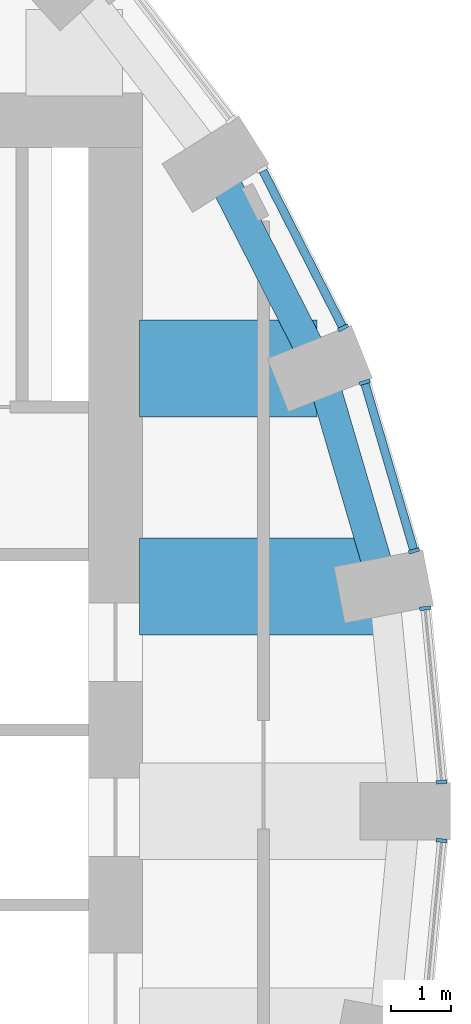
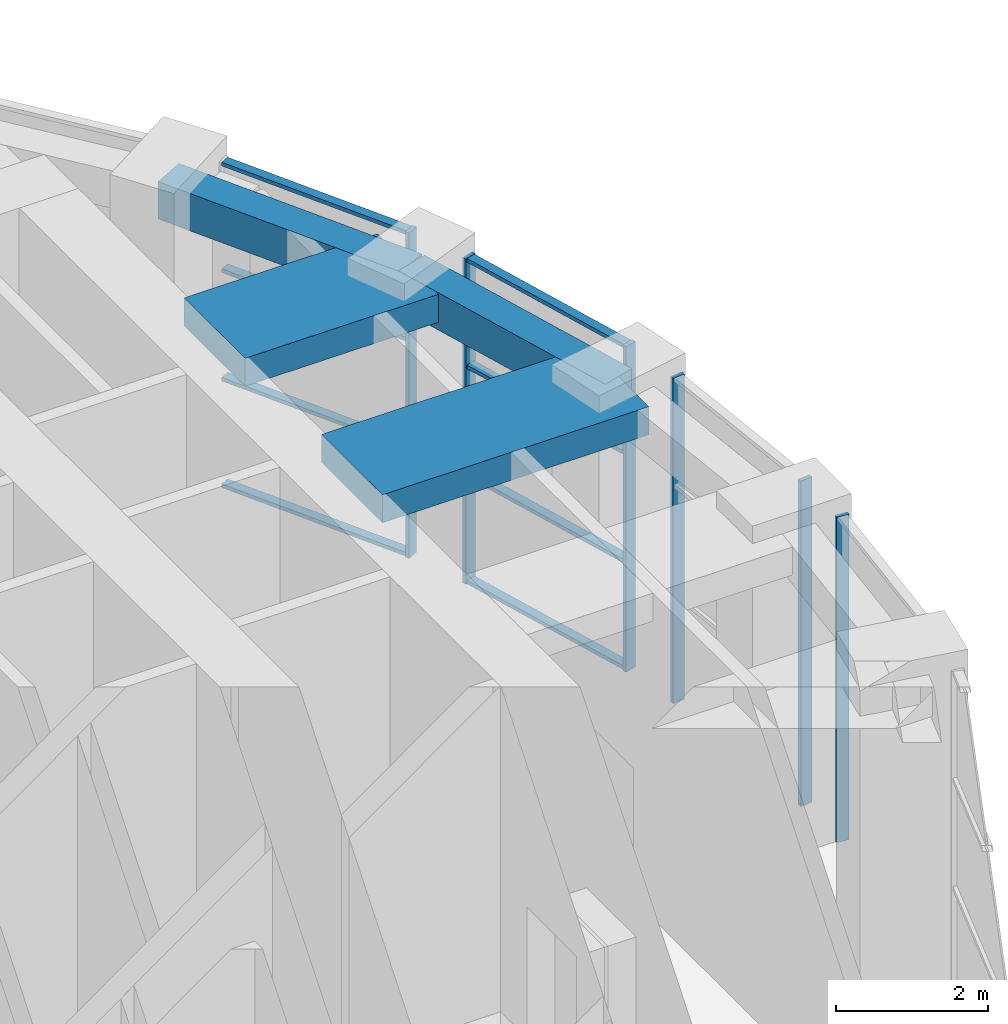
# One storey, part 6 of 17: 14 members, 4 beams, 4 elements without a shape of their own.
"""IFC4 building model written with IfcOpenShell, lengths in metres."""

import ifcopenshell
import ifcopenshell.guid

model = None  # the IFC model being written
_history = None  # IfcOwnerHistory: only IFC2X3 demands one
_inside = {}  # id of a spatial element -> (the spatial element, [elements in it])
_under = {}  # id of a project, library or spatial element -> (it, [spatial elements below it])
_declared = {}  # id of a project -> (the project, [libraries it declares])
_typed = {}  # id of a type object -> (the type object, [elements of that type])
_made_of = {}  # id of a material, layer set ... -> (it, [elements and type objects made of it])


def new_model(schema):
    """Start an empty IFC model of exactly this schema.

    Asked for "IFC4X3", IfcOpenShell would pick the latest addendum, in which some entities
    have other attributes; the version numbers below select the first issue.
    IFC2X3 requires an IfcOwnerHistory on every rooted entity: one is made here for all.
    """
    global model, _history
    if schema == "IFC4X3":
        model = ifcopenshell.file(schema_version=(4, 3, 0, 0))
    else:
        model = ifcopenshell.file(schema=schema)
    _inside.clear()
    _under.clear()
    _declared.clear()
    _typed.clear()
    _made_of.clear()
    _history = None
    if model.schema == "IFC2X3":
        org = make("IfcOrganization", Name="unknown")
        user = make(
            "IfcPersonAndOrganization",
            ThePerson=make("IfcPerson", FamilyName="unknown"),
            TheOrganization=org,
        )
        app = make(
            "IfcApplication",
            ApplicationDeveloper=org,
            Version="unknown",
            ApplicationFullName="unknown",
            ApplicationIdentifier="unknown",
        )
        _history = make(
            "IfcOwnerHistory",
            OwningUser=user,
            OwningApplication=app,
            ChangeAction="ADDED",
            CreationDate=0,
        )
    return model


def make(cls, **values):
    """One entity of the class cls with the attributes given. An attribute that is None is left unset."""
    return model.create_entity(
        cls, **{name: value for name, value in values.items() if value is not None}
    )


def rooted(cls, **values):
    """An entity with a GlobalId (a new one), such as an element, a storey or a relation."""
    return make(cls, GlobalId=ifcopenshell.guid.new(), OwnerHistory=_history, **values)


def si_unit(unit_type, name, prefix=None):
    """IfcSIUnit, for example si_unit("LENGTHUNIT", "METRE", prefix="MILLI")."""
    return make("IfcSIUnit", UnitType=unit_type, Prefix=prefix, Name=name)


def assignment(units):
    """IfcUnitAssignment: the units of a project."""
    return None if units is None else make("IfcUnitAssignment", Units=units)


def point(xyz):
    """IfcCartesianPoint."""
    return None if xyz is None else make("IfcCartesianPoint", Coordinates=xyz)


def direction(xyz):
    """IfcDirection."""
    return None if xyz is None else make("IfcDirection", DirectionRatios=xyz)


def frame(location, z_axis=None, x_axis=None):
    """IfcAxis2Placement3D, a coordinate frame: its origin and axes. An axis left out is left unset."""
    return make(
        "IfcAxis2Placement3D",
        Location=point(location),
        Axis=direction(z_axis),
        RefDirection=direction(x_axis),
    )


def frame_2d(location, x_axis=None):
    """IfcAxis2Placement2D, a coordinate frame in the plane: its origin and x axis."""
    return make(
        "IfcAxis2Placement2D", Location=point(location), RefDirection=direction(x_axis)
    )


def origin():
    """The frame at (0, 0, 0) with its axes left unset."""
    return frame((0.0, 0.0, 0.0))


def origin_2d():
    """The frame at (0, 0) in the plane with its x axis left unset."""
    return frame_2d((0.0, 0.0))


def place(relative_to, where):
    """IfcLocalPlacement: puts the frame where relative to a parent placement (None: the world)."""
    return make(
        "IfcLocalPlacement", PlacementRelTo=relative_to, RelativePlacement=where
    )


def context(
    kind, dimensions, precision=None, world=None, true_north=None, identifier=None
):
    """IfcGeometricRepresentationContext, for example the 3D "Model" context."""
    return make(
        "IfcGeometricRepresentationContext",
        ContextIdentifier=identifier,
        ContextType=kind,
        CoordinateSpaceDimension=dimensions,
        Precision=precision,
        WorldCoordinateSystem=world,
        TrueNorth=true_north,
    )


def subcontext(parent, identifier, kind, view, scale=None):
    """IfcGeometricRepresentationSubContext, for example "Body" below "Model"."""
    return make(
        "IfcGeometricRepresentationSubContext",
        ContextIdentifier=identifier,
        ContextType=kind,
        ParentContext=parent,
        TargetScale=scale,
        TargetView=view,
    )


def project(units=None, contexts=None):
    """IfcProject with its units and contexts."""
    return rooted(
        "IfcProject",
        Name="project",
        RepresentationContexts=contexts,
        UnitsInContext=assignment(units),
    )


def spatial(cls, under=None, at=None, **own):
    """A site, building, storey or space (cls), placed at a placement, below another one or the project."""
    s = rooted(cls, ObjectPlacement=at, **own)
    if under is not None:
        _under.setdefault(under.id(), (under, []))[1].append(s)
    return s


def profile(cls, at=None, kind="AREA", **sizes):
    """A parametric profile (cls). Its sizes go by their IFC names, for example OverallWidth=200.0."""
    return make(cls, ProfileType=kind, Position=at, **sizes)


def rectangle(**sizes):
    """IfcRectangleProfileDef."""
    return profile("IfcRectangleProfileDef", **sizes)


def extrude(swept, where, along, depth):
    """IfcExtrudedAreaSolid: the profile swept, set in the frame where, extruded along a direction by depth."""
    return make(
        "IfcExtrudedAreaSolid",
        SweptArea=swept,
        Position=where,
        ExtrudedDirection=direction(along),
        Depth=depth,
    )


def shape(context_of_items, identifier, shape_type, items):
    """IfcShapeRepresentation: the items that make up one representation, for example the "Body"."""
    return make(
        "IfcShapeRepresentation",
        ContextOfItems=context_of_items,
        RepresentationIdentifier=identifier,
        RepresentationType=shape_type,
        Items=items,
    )


def material(Name=None, Category=None):
    """IfcMaterial."""
    return make("IfcMaterial", Name=Name, Category=Category)


def material_profile(
    of_material, cross_section, Name=None, Category=None, Priority=None
):
    """IfcMaterialProfile: a cross section and its material."""
    return make(
        "IfcMaterialProfile",
        Name=Name,
        Material=of_material,
        Profile=cross_section,
        Priority=Priority,
        Category=Category,
    )


def profile_set(profiles, Name=None, composite=None):
    """IfcMaterialProfileSet."""
    return make(
        "IfcMaterialProfileSet",
        Name=Name,
        MaterialProfiles=profiles,
        CompositeProfile=composite,
    )


def made_of(thing, what):
    """Note that an element or type object is made of a material, layer set ...; save() writes the relation."""
    if what is not None:
        _made_of.setdefault(what.id(), (what, []))[1].append(thing)
    return thing


def type_object(cls, material=None, **own):
    """A type object (cls), such as IfcWallType, which elements share."""
    return made_of(rooted(cls, **own), material)


def element(
    cls,
    number,
    at=None,
    inside=None,
    cuts=None,
    type_object=None,
    material=None,
    context=None,
    identifier="Body",
    shape_type=None,
    held_by="IfcProductDefinitionShape",
    body=None,
    shapes=None,
    **own,
):
    """One element of the class cls, such as IfcWall. Its Tag is "e" and its number.

    at: its placement. inside: the storey or other place that contains it. cuts: it is an
    opening in that element (IfcRelVoidsElement). A single representation is given by context,
    identifier, shape_type and body (its items); several are given by shapes. held_by: the class
    of the entity that holds the representations. save() writes the other relations.
    """
    e = rooted(cls, Tag="e%d" % number, ObjectPlacement=at, **own)
    if body is not None:
        shapes = [shape(context, identifier, shape_type, body)]
    if shapes is not None:
        e.Representation = make(held_by, Representations=shapes)
    if inside is not None:
        _inside.setdefault(inside.id(), (inside, []))[1].append(e)
    if cuts is not None:
        rooted(
            "IfcRelVoidsElement", RelatingBuildingElement=cuts, RelatedOpeningElement=e
        )
    if type_object is not None:
        _typed.setdefault(type_object.id(), (type_object, []))[1].append(e)
    return made_of(e, material)


def aggregate(whole, parts):
    """IfcRelAggregates: a whole, such as a stair, and the parts it consists of."""
    return rooted("IfcRelAggregates", RelatingObject=whole, RelatedObjects=parts)


def save(model, path):
    """Write the relations noted so far, then the file.

    IfcRelAggregates (storeys below a building ...), IfcRelContainedInSpatialStructure (elements
    in a storey), IfcRelDefinesByType, IfcRelAssociatesMaterial and IfcRelDeclares: one each for
    every whole, place, type object, material and project.
    """
    for whole, parts in _under.values():
        aggregate(whole, parts)
    for where, things in _inside.values():
        rooted(
            "IfcRelContainedInSpatialStructure",
            RelatedElements=things,
            RelatingStructure=where,
        )
    for kind, things in _typed.values():
        rooted("IfcRelDefinesByType", RelatedObjects=things, RelatingType=kind)
    for what, things in _made_of.values():
        rooted("IfcRelAssociatesMaterial", RelatedObjects=things, RelatingMaterial=what)
    for by, libraries in _declared.values():
        rooted("IfcRelDeclares", RelatingContext=by, RelatedDefinitions=libraries)
    model.write(path)


model = new_model("IFC4")

# Units and contexts
model_context = context("Model", 3, precision=1e-05, world=origin(), true_north=direction((0.0, 1.0)))
body_context = subcontext(model_context, "Body", "Model", "MODEL_VIEW")
ifc_project = project(units=[si_unit("LENGTHUNIT", "METRE"), si_unit("AREAUNIT", "SQUARE_METRE"), si_unit("VOLUMEUNIT", "CUBIC_METRE"), si_unit("PLANEANGLEUNIT", "RADIAN"), si_unit("MASSUNIT", "GRAM", prefix="KILO")], contexts=[model_context])

# Site, building, storey
site_placement = place(None, origin())
site = spatial("IfcSite", under=ifc_project, at=site_placement, CompositionType="ELEMENT")
building_placement = place(site_placement, origin())
building = spatial("IfcBuilding", under=site, at=building_placement, Name="Taillehof Tower", CompositionType="ELEMENT")
storey_placement = place(building_placement, frame((0.0, 0.0, 139.60009765625)))
storey = spatial("IfcBuildingStorey", under=building, at=storey_placement, Name="L39", CompositionType="ELEMENT", Elevation=139.60009765625)

# Beams
ifc_material_1 = material(Name="Concrete C50/60", Category="concrete")
ifc_material_profile_1 = material_profile(ifc_material_1, rectangle(XDim=1.60009765625, YDim=0.449951171875, at=origin_2d()), Name="RC 1600x450")
ifc_profile_set_1 = profile_set([ifc_material_profile_1], Name="Concrete C50/60")
beam_type_1 = type_object("IfcBeamType", Name="Radial band beam C50/60 1600x450", PredefinedType="BEAM", material=ifc_profile_set_1)
beam_1_placement = place(storey_placement, frame((23.19384765625, 3.82470703125, 4.994873046875), z_axis=(-1.0, 0.0, 0.0), x_axis=(0.0, -1.0, 0.0)))
element("IfcBeam", 1, at=beam_1_placement, inside=storey, type_object=beam_type_1, Name="Radial band beam RB02", PredefinedType="BEAM", context=body_context, shape_type="SweptSolid", body=[
    extrude(rectangle(XDim=1.60009765625, YDim=0.449951171875, at=origin_2d()), origin(), (0.0, 0.0, 1.0), 4.0439453125),
])
beam_2_placement = place(storey_placement, frame((22.08642578125, 7.436279296875, 4.994873046875), z_axis=(-1.0, 0.0, 0.0), x_axis=(0.0, -1.0, 0.0)))
element("IfcBeam", 2, at=beam_2_placement, inside=storey, type_object=beam_type_1, Name="Radial band beam RB03", PredefinedType="BEAM", context=body_context, shape_type="SweptSolid", body=[
    extrude(rectangle(XDim=1.60009765625, YDim=0.449951171875, at=origin_2d()), origin(), (0.0, 0.0, 1.0), 2.9365234375),
])

# Curtain wall, members
ifc_material_2 = material(Name="Aluminium curtain wall with Clear low-emissivity double glazing", Category="aluminium")
curtain_wall_type = type_object("IfcCurtainWallType", Name="Sky lobby curtain wall", PredefinedType="USERDEFINED", material=ifc_material_2)
curtain_wall_1_placement = place(storey_placement, origin())
curtain_wall_1 = element("IfcCurtainWall", 3, at=curtain_wall_1_placement, inside=storey, type_object=curtain_wall_type, Name="Sky lobby L39 bay 1", ObjectType="WINDOW WALL", PredefinedType="USERDEFINED")
ifc_material_3 = material(Name="Aluminium mullion", Category="aluminium")
ifc_material_profile_2 = material_profile(ifc_material_3, rectangle(XDim=0.179931640625, YDim=0.06005859375, at=origin_2d()), Name="AL 60x180")
ifc_profile_set_2 = profile_set([ifc_material_profile_2], Name="Aluminium mullion")
member_type_1 = type_object("IfcMemberType", Name="Sky lobby mullion 60x180", PredefinedType="MULLION", material=ifc_profile_set_2)
member_1_placement = place(storey_placement, frame((24.153076171875, 0.5849609375, 0.0), z_axis=(0.0, 0.0, 1.0), x_axis=(-0.995458478328, -0.095196732748, 0.0)))
member_1 = element("IfcMember", 4, at=member_1_placement, type_object=member_type_1, Name="CT3C01 mullion 1", PredefinedType="MULLION", context=body_context, shape_type="SweptSolid", body=[
    extrude(rectangle(XDim=0.179931640625, YDim=0.06005859375, at=origin_2d()), origin(), (0.0, 0.0, 1.0), 5.219970703125),
])
member_2_placement = place(storey_placement, frame((23.8779296875, 3.46240234375, 0.0), z_axis=(0.0, 0.0, 1.0), x_axis=(-0.995458478328, -0.095196732748, 0.0)))
member_2 = element("IfcMember", 5, at=member_2_placement, type_object=member_type_1, Name="CT3C01 mullion 2", PredefinedType="MULLION", context=body_context, shape_type="SweptSolid", body=[
    extrude(rectangle(XDim=0.179931640625, YDim=0.06005859375, at=origin_2d()), origin(), (0.0, 0.0, 1.0), 5.219970703125),
])
aggregate(curtain_wall_1, [member_1, member_2])

curtain_wall_2_placement = place(storey_placement, origin())
curtain_wall_2 = element("IfcCurtainWall", 6, at=curtain_wall_2_placement, inside=storey, type_object=curtain_wall_type, Name="Sky lobby L39 bay 2", ObjectType="WINDOW WALL", PredefinedType="USERDEFINED")
member_3_placement = place(storey_placement, frame((23.694580078125, 4.414794921875, 0.0), z_axis=(0.0, 0.0, 1.0), x_axis=(-0.959684454665, -0.281079610563, 0.0)))
member_3 = element("IfcMember", 7, at=member_3_placement, type_object=member_type_1, Name="CT3C02 mullion 1", PredefinedType="MULLION", context=body_context, shape_type="SweptSolid", body=[
    extrude(rectangle(XDim=0.179931640625, YDim=0.06005859375, at=origin_2d()), origin(), (0.0, 0.0, 1.0), 5.219970703125),
])
member_4_placement = place(storey_placement, frame((22.87646484375, 7.20849609375, 0.0), z_axis=(0.0, 0.0, 1.0), x_axis=(-0.959684454665, -0.281079610563, 0.0)))
member_4 = element("IfcMember", 8, at=member_4_placement, type_object=member_type_1, Name="CT3C02 mullion 2", PredefinedType="MULLION", context=body_context, shape_type="SweptSolid", body=[
    extrude(rectangle(XDim=0.179931640625, YDim=0.06005859375, at=origin_2d()), origin(), (0.0, 0.0, 1.0), 5.219970703125),
])

# Curtain wall, member
curtain_wall_3_placement = place(storey_placement, origin())
curtain_wall_3 = element("IfcCurtainWall", 9, at=curtain_wall_3_placement, inside=storey, type_object=curtain_wall_type, Name="Sky lobby L39 bay 3", ObjectType="WINDOW WALL", PredefinedType="USERDEFINED")
member_5_placement = place(storey_placement, frame((22.518310546875, 8.10986328125, 0.0), z_axis=(0.0, 0.0, 1.0), x_axis=(-0.890939920431, -0.454121193276, 0.0)))
member_5 = element("IfcMember", 10, at=member_5_placement, type_object=member_type_1, Name="CT3C03 mullion 1", PredefinedType="MULLION", context=body_context, shape_type="SweptSolid", body=[
    extrude(rectangle(XDim=0.179931640625, YDim=0.06005859375, at=origin_2d()), origin(), (0.0, 0.0, 1.0), 5.219970703125),
])

curtain_wall_4_placement = place(storey_placement, origin())
curtain_wall_4 = element("IfcCurtainWall", 11, at=curtain_wall_4_placement, inside=storey, type_object=curtain_wall_type, Name="Sky lobby L39 bay 36", ObjectType="WINDOW WALL", PredefinedType="USERDEFINED")
member_6_placement = place(storey_placement, frame((24.153076171875, -0.385009765625, 0.0), z_axis=(0.0, 0.0, 1.0), x_axis=(-0.995458478328, 0.095196732748, 0.0)))
member_6 = element("IfcMember", 12, at=member_6_placement, type_object=member_type_1, Name="CT3C36 mullion 2", PredefinedType="MULLION", context=body_context, shape_type="SweptSolid", body=[
    extrude(rectangle(XDim=0.179931640625, YDim=0.06005859375, at=origin_2d()), origin(), (0.0, 0.0, 1.0), 5.219970703125),
])
aggregate(curtain_wall_4, [member_6])

# Member
ifc_material_4 = material(Name="Aluminium transom", Category="aluminium")
ifc_material_profile_3 = material_profile(ifc_material_4, rectangle(XDim=0.139892578125, YDim=0.06005859375, at=origin_2d()), Name="AL 140x60")
ifc_profile_set_3 = profile_set([ifc_material_profile_3], Name="Aluminium transom")
member_type_2 = type_object("IfcMemberType", Name="Sky lobby transom 140x60", PredefinedType="USERDEFINED", material=ifc_profile_set_3)
member_7_placement = place(storey_placement, frame((23.686279296875, 4.443603515625, 0.02978515625), z_axis=(-0.281048807702, 0.959693475902, 0.0), x_axis=(-0.959693475902, -0.281048807702, 0.0)))
member_7 = element("IfcMember", 13, at=member_7_placement, type_object=member_type_2, Name="CT3C02 transom 1.1", ObjectType="TRANSOM", PredefinedType="USERDEFINED", context=body_context, shape_type="SweptSolid", body=[
    extrude(rectangle(XDim=0.139892578125, YDim=0.06005859375, at=origin_2d()), origin(), (0.0, 0.0, 1.0), 2.85107421875),
])

member_8_placement = place(storey_placement, frame((23.686279296875, 4.443603515625, 1.739990234375), z_axis=(-0.281048807702, 0.959693475902, 0.0), x_axis=(-0.959693475902, -0.281048807702, 0.0)))
member_8 = element("IfcMember", 14, at=member_8_placement, type_object=member_type_2, Name="CT3C02 transom 1.2", ObjectType="TRANSOM", PredefinedType="USERDEFINED", context=body_context, shape_type="SweptSolid", body=[
    extrude(rectangle(XDim=0.139892578125, YDim=0.06005859375, at=origin_2d()), origin(), (0.0, 0.0, 1.0), 2.85107421875),
])

member_9_placement = place(storey_placement, frame((23.686279296875, 4.443603515625, 3.47998046875), z_axis=(-0.281048807702, 0.959693475902, 0.0), x_axis=(-0.959693475902, -0.281048807702, 0.0)))
member_9 = element("IfcMember", 15, at=member_9_placement, type_object=member_type_2, Name="CT3C02 transom 1.3", ObjectType="TRANSOM", PredefinedType="USERDEFINED", context=body_context, shape_type="SweptSolid", body=[
    extrude(rectangle(XDim=0.139892578125, YDim=0.06005859375, at=origin_2d()), origin(), (0.0, 0.0, 1.0), 2.85107421875),
])

member_10_placement = place(storey_placement, frame((23.686279296875, 4.443603515625, 5.18994140625), z_axis=(-0.281048807702, 0.959693475902, 0.0), x_axis=(-0.959693475902, -0.281048807702, 0.0)))
member_10 = element("IfcMember", 16, at=member_10_placement, type_object=member_type_2, Name="CT3C02 transom 1.4", ObjectType="TRANSOM", PredefinedType="USERDEFINED", context=body_context, shape_type="SweptSolid", body=[
    extrude(rectangle(XDim=0.139892578125, YDim=0.06005859375, at=origin_2d()), origin(), (0.0, 0.0, 1.0), 2.85107421875),
])

aggregate(curtain_wall_2, [member_3, member_4, member_7, member_8, member_9, member_10])

member_11_placement = place(storey_placement, frame((22.504638671875, 8.136474609375, 0.02978515625), z_axis=(-0.454062498764, 0.890969835189, 0.0), x_axis=(-0.890969835189, -0.454062498764, 0.0)))
member_11 = element("IfcMember", 17, at=member_11_placement, type_object=member_type_2, Name="CT3C03 transom 1.1", ObjectType="TRANSOM", PredefinedType="USERDEFINED", context=body_context, shape_type="SweptSolid", body=[
    extrude(rectangle(XDim=0.139892578125, YDim=0.06005859375, at=origin_2d()), origin(), (0.0, 0.0, 1.0), 2.888916015625),
])

member_12_placement = place(storey_placement, frame((22.504638671875, 8.136474609375, 1.739990234375), z_axis=(-0.454062498764, 0.890969835189, 0.0), x_axis=(-0.890969835189, -0.454062498764, 0.0)))
member_12 = element("IfcMember", 18, at=member_12_placement, type_object=member_type_2, Name="CT3C03 transom 1.2", ObjectType="TRANSOM", PredefinedType="USERDEFINED", context=body_context, shape_type="SweptSolid", body=[
    extrude(rectangle(XDim=0.139892578125, YDim=0.06005859375, at=origin_2d()), origin(), (0.0, 0.0, 1.0), 2.888916015625),
])

member_13_placement = place(storey_placement, frame((22.504638671875, 8.136474609375, 3.47998046875), z_axis=(-0.454062498764, 0.890969835189, 0.0), x_axis=(-0.890969835189, -0.454062498764, 0.0)))
member_13 = element("IfcMember", 19, at=member_13_placement, type_object=member_type_2, Name="CT3C03 transom 1.3", ObjectType="TRANSOM", PredefinedType="USERDEFINED", context=body_context, shape_type="SweptSolid", body=[
    extrude(rectangle(XDim=0.139892578125, YDim=0.06005859375, at=origin_2d()), origin(), (0.0, 0.0, 1.0), 2.888916015625),
])

member_14_placement = place(storey_placement, frame((22.504638671875, 8.136474609375, 5.18994140625), z_axis=(-0.454062498764, 0.890969835189, 0.0), x_axis=(-0.890969835189, -0.454062498764, 0.0)))
member_14 = element("IfcMember", 20, at=member_14_placement, type_object=member_type_2, Name="CT3C03 transom 1.4", ObjectType="TRANSOM", PredefinedType="USERDEFINED", context=body_context, shape_type="SweptSolid", body=[
    extrude(rectangle(XDim=0.139892578125, YDim=0.06005859375, at=origin_2d()), origin(), (0.0, 0.0, 1.0), 2.888916015625),
])

aggregate(curtain_wall_3, [member_5, member_11, member_12, member_13, member_14])

# Beams
ifc_material_5 = material(Name="Concrete C50/60", Category="concrete")
ifc_material_profile_4 = material_profile(ifc_material_5, rectangle(XDim=0.5, YDim=0.60009765625, at=origin_2d()), Name="RC 500x600")
ifc_profile_set_4 = profile_set([ifc_material_profile_4], Name="Concrete C50/60")
beam_type_2 = type_object("IfcBeamType", Name="Spandrel beam C50/60 500x600", PredefinedType="SPANDREL", material=ifc_profile_set_4)
beam_3_placement = place(storey_placement, frame((23.19384765625, 3.82470703125, 4.919921875), z_axis=(-0.281158162606, 0.959661444261, 0.0), x_axis=(-0.959661444261, -0.281158162606, 0.0)))
element("IfcBeam", 21, at=beam_3_placement, inside=storey, type_object=beam_type_2, Name="Spandrel beam SB02", PredefinedType="SPANDREL", context=body_context, shape_type="SweptSolid", body=[
    extrude(rectangle(XDim=0.5, YDim=0.60009765625, at=origin_2d()), origin(), (0.0, 0.0, 1.0), 3.763427734375),
])
beam_4_placement = place(storey_placement, frame((22.1357421875, 7.436279296875, 4.919921875), z_axis=(-0.454183451696, 0.890908183937, 0.0), x_axis=(-0.890908183937, -0.454183451696, 0.0)))
element("IfcBeam", 22, at=beam_4_placement, inside=storey, type_object=beam_type_2, Name="Spandrel beam SB03", PredefinedType="SPANDREL", context=body_context, shape_type="SweptSolid", body=[
    extrude(rectangle(XDim=0.5, YDim=0.60009765625, at=origin_2d()), origin(), (0.0, 0.0, 1.0), 3.8037109375),
])

save(model, "model.ifc")
